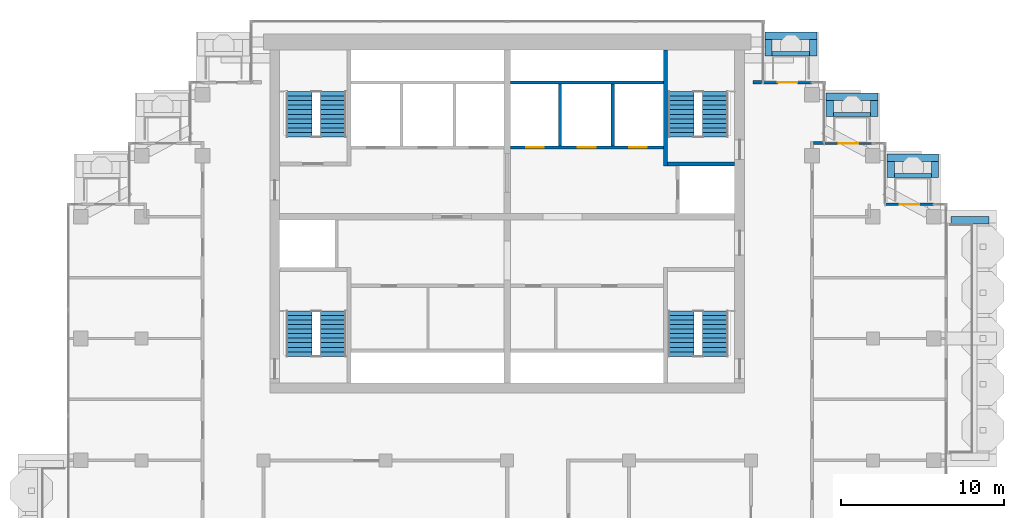
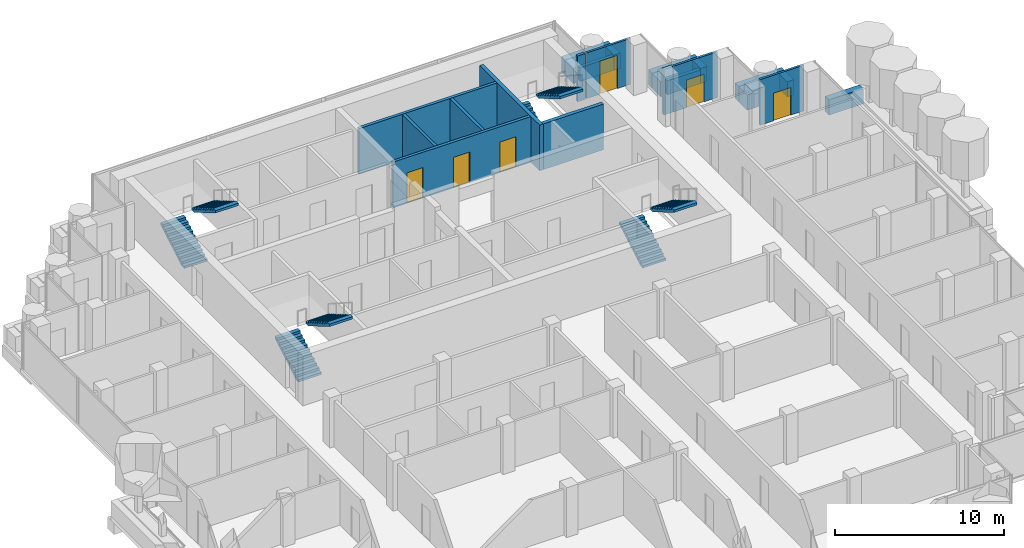
# One storey, part 15 of 19: 24 walls, 8 stair flights, 6 doors, 6 openings, 4 elements without a shape of their own.
"""IFC4 building model written with IfcOpenShell, lengths in metres."""

from ifc_helpers import new_model, si_unit, direction, frame, frame_2d, origin, place, context, subcontext, project, spatial, polyline, rectangle, outline, extrude, material, layer, layer_set, type_object, element, fill, aggregate, save


model = new_model("IFC4")

# Units and contexts
model_context = context("Model", 3, precision=1e-05, world=origin(), true_north=direction((0.0, 1.0)))
body_context = subcontext(model_context, "Body", "Model", "MODEL_VIEW")
ifc_project = project(units=[si_unit("LENGTHUNIT", "METRE"), si_unit("AREAUNIT", "SQUARE_METRE"), si_unit("VOLUMEUNIT", "CUBIC_METRE"), si_unit("PLANEANGLEUNIT", "RADIAN"), si_unit("MASSUNIT", "GRAM", prefix="KILO")], contexts=[model_context])

# Site, building, storey
site_placement = place(None, origin())
site = spatial("IfcSite", under=ifc_project, at=site_placement, CompositionType="ELEMENT")
building_placement = place(site_placement, origin())
building = spatial("IfcBuilding", under=site, at=building_placement, Name="Pilkhan Gate Tower", CompositionType="ELEMENT")
storey_placement = place(building_placement, frame((0.0, 0.0, 246.300048828125)))
storey = spatial("IfcBuildingStorey", under=building, at=storey_placement, Name="L64", CompositionType="ELEMENT", Elevation=246.300048828125)

# Walls
ifc_material_1 = material(Name="Concrete C40/50", Category="concrete")
ifc_layer_1 = layer(ifc_material_1, 0.25)
ifc_layer_set_1 = layer_set([ifc_layer_1], Name="Balcony planter BP250")
wall_type_1 = type_object("IfcWallType", Name="Balcony planter BP250", PredefinedType="USERDEFINED", material=ifc_layer_set_1)
wall_1_placement = place(storey_placement, frame((91.300048828125, 92.52490234375, 0.0), z_axis=(0.0, 0.0, 1.0), x_axis=(1.0, 0.0, 0.0)))
element("IfcWall", 1, at=wall_1_placement, inside=storey, type_object=wall_type_1, Name="Balcony planter L64 N", ObjectType="BALCONY PLANTER", PredefinedType="USERDEFINED", context=body_context, shape_type="SweptSolid", body=[
    extrude(rectangle(XDim=2.300048828125, YDim=0.25, at=frame_2d((1.14990234375, 0.0))), origin(), (0.0, 0.0, 1.0), 1.0),
])
for number, where, z_axis, x_axis, name in (
    (2, (95.070068359375, 88.77490234375, 0.0), (0.0, 0.0, 1.0), (1.0, 0.0, 0.0), "Balcony planter L64 N"),
    (3, (98.820068359375, 85.02490234375, 0.0), (0.0, 0.0, 1.0), (1.0, 0.0, 0.0), "Balcony planter L64 N"),
):
    element("IfcWall", number, at=place(storey_placement, frame(where, z_axis=z_axis, x_axis=x_axis)), inside=storey, type_object=wall_type_1, Name=name, ObjectType="BALCONY PLANTER", PredefinedType="USERDEFINED", context=body_context, shape_type="SweptSolid", body=[
        extrude(rectangle(XDim=2.280029296875, YDim=0.25, at=frame_2d((1.14013671875, 0.0))), origin(), (0.0, 0.0, 1.0), 1.0),
    ])
ifc_material_2 = material(Name="Board-marked Concrete C40/50", Category="concrete")
ifc_layer_2 = layer(ifc_material_2, 0.449951171875)
ifc_layer_set_2 = layer_set([ifc_layer_2], Name="Balcony planter lip BL450")
wall_type_2 = type_object("IfcWallType", Name="Balcony planter lip BL450", PredefinedType="USERDEFINED", material=ifc_layer_set_2)
wall_2_placement = place(storey_placement, frame((102.300048828125, 82.27490234375, 0.0), z_axis=(0.0, 0.0, 1.0), x_axis=(1.0, 0.0, 0.0)))
element("IfcWall", 4, at=wall_2_placement, inside=storey, type_object=wall_type_2, Name="Balcony planter L64 E", ObjectType="BALCONY PLANTER", PredefinedType="USERDEFINED", context=body_context, shape_type="SweptSolid", body=[
    extrude(rectangle(XDim=2.349853515625, YDim=0.449951171875, at=frame_2d((1.1748046875, 0.0))), origin(), (0.0, 0.0, 1.0), 1.099853515625),
])
wall_3_placement = place(storey_placement, frame((90.85009765625, 93.625, 0.0), z_axis=(0.0, 0.0, 1.0), x_axis=(1.0, 0.0, 0.0)))
element("IfcWall", 5, at=wall_3_placement, inside=storey, type_object=wall_type_2, Name="Balcony planter L64 N", ObjectType="BALCONY PLANTER", PredefinedType="USERDEFINED", context=body_context, shape_type="SweptSolid", body=[
    extrude(rectangle(XDim=3.199951171875, YDim=0.449951171875, at=frame_2d((1.60009765625, 0.0))), origin(), (0.0, 0.0, 1.0), 1.099853515625),
])
for number, where, z_axis, x_axis, name in (
    (6, (91.074951171875, 92.39990234375, 0.0), (0.0, 0.0, 1.0), (0.0, 1.0, 0.0), "Balcony planter L64 N"),
    (7, (93.824951171875, 92.39990234375, 0.0), (0.0, 0.0, 1.0), (0.0, 1.0, 0.0), "Balcony planter L64 N"),
):
    element("IfcWall", number, at=place(storey_placement, frame(where, z_axis=z_axis, x_axis=x_axis)), inside=storey, type_object=wall_type_2, Name=name, ObjectType="BALCONY PLANTER", PredefinedType="USERDEFINED", context=body_context, shape_type="SweptSolid", body=[
        extrude(rectangle(XDim=1.0, YDim=0.449951171875, at=frame_2d((0.5, 0.0))), origin(), (0.0, 0.0, 1.0), 1.099853515625),
    ])
wall_4_placement = place(storey_placement, frame((94.6201171875, 89.875, 0.0), z_axis=(0.0, 0.0, 1.0), x_axis=(1.0, 0.0, 0.0)))
element("IfcWall", 8, at=wall_4_placement, inside=storey, type_object=wall_type_2, Name="Balcony planter L64 N", ObjectType="BALCONY PLANTER", PredefinedType="USERDEFINED", context=body_context, shape_type="SweptSolid", body=[
    extrude(rectangle(XDim=3.179931640625, YDim=0.449951171875, at=frame_2d((1.58984375, 0.0))), origin(), (0.0, 0.0, 1.0), 1.099853515625),
])
for number, where, z_axis, x_axis, name in (
    (9, (94.844970703125, 88.64990234375, 0.0), (0.0, 0.0, 1.0), (0.0, 1.0, 0.0), "Balcony planter L64 N"),
    (10, (97.574951171875, 88.64990234375, 0.0), (0.0, 0.0, 1.0), (0.0, 1.0, 0.0), "Balcony planter L64 N"),
):
    element("IfcWall", number, at=place(storey_placement, frame(where, z_axis=z_axis, x_axis=x_axis)), inside=storey, type_object=wall_type_2, Name=name, ObjectType="BALCONY PLANTER", PredefinedType="USERDEFINED", context=body_context, shape_type="SweptSolid", body=[
        extrude(rectangle(XDim=1.0, YDim=0.449951171875, at=frame_2d((0.5, 0.0))), origin(), (0.0, 0.0, 1.0), 1.099853515625),
    ])
wall_5_placement = place(storey_placement, frame((98.3701171875, 86.125, 0.0), z_axis=(0.0, 0.0, 1.0), x_axis=(1.0, 0.0, 0.0)))
element("IfcWall", 11, at=wall_5_placement, inside=storey, type_object=wall_type_2, Name="Balcony planter L64 N", ObjectType="BALCONY PLANTER", PredefinedType="USERDEFINED", context=body_context, shape_type="SweptSolid", body=[
    extrude(rectangle(XDim=3.179931640625, YDim=0.449951171875, at=frame_2d((1.58984375, 0.0))), origin(), (0.0, 0.0, 1.0), 1.099853515625),
])
for number, where, z_axis, x_axis, name in (
    (12, (98.594970703125, 84.89990234375, 0.0), (0.0, 0.0, 1.0), (0.0, 1.0, 0.0), "Balcony planter L64 N"),
    (13, (101.324951171875, 84.89990234375, 0.0), (0.0, 0.0, 1.0), (0.0, 1.0, 0.0), "Balcony planter L64 N"),
):
    element("IfcWall", number, at=place(storey_placement, frame(where, z_axis=z_axis, x_axis=x_axis)), inside=storey, type_object=wall_type_2, Name=name, ObjectType="BALCONY PLANTER", PredefinedType="USERDEFINED", context=body_context, shape_type="SweptSolid", body=[
        extrude(rectangle(XDim=1.0, YDim=0.449951171875, at=frame_2d((0.5, 0.0))), origin(), (0.0, 0.0, 1.0), 1.099853515625),
    ])
ifc_material_3 = material(Name="Dense blockwork", Category="masonry")
ifc_layer_3 = layer(ifc_material_3, 0.199951171875)
ifc_layer_set_3 = layer_set([ifc_layer_3], Name="Corridor wall FW200")
wall_type_3 = type_object("IfcWallType", Name="Corridor wall FW200", PredefinedType="PARTITIONING", material=ifc_layer_set_3)
wall_6_placement = place(storey_placement, frame((93.85009765625, 87.030029296875, 0.0), z_axis=(0.0, 0.0, 1.0), x_axis=(1.0, 0.0, 0.0)))
element("IfcWall", 14, at=wall_6_placement, inside=storey, type_object=wall_type_3, Name="Partition L64", PredefinedType="PARTITIONING", context=body_context, shape_type="SweptSolid", body=[
    extrude(rectangle(XDim=0.639892578125, YDim=0.199951171875, at=frame_2d((0.31982421875, 0.0))), origin(), (0.0, 0.0, 1.0), 3.300048828125),
])
wall_7_placement = place(storey_placement, frame((90.1201171875, 90.764892578125, 0.0), z_axis=(0.0, 0.0, 1.0), x_axis=(1.0, 0.0, 0.0)))
element("IfcWall", 15, at=wall_7_placement, inside=storey, type_object=wall_type_3, Name="Partition L64", PredefinedType="PARTITIONING", context=body_context, shape_type="SweptSolid", body=[
    extrude(rectangle(XDim=0.52490234375, YDim=0.199951171875, at=frame_2d((0.262451171875, 0.0))), origin(), (0.0, 0.0, 1.0), 3.300048828125),
])

# Wall, opening, door
ifc_material_4 = material(Name="Pale anodised aluminium, clear laminated glazing", Category="aluminium")
ifc_layer_4 = layer(ifc_material_4, 0.14990234375)
ifc_layer_set_4 = layer_set([ifc_layer_4], Name="Facade infill wall IW150")
wall_type_4 = type_object("IfcWallType", Name="Facade infill wall IW150", PredefinedType="SOLIDWALL", material=ifc_layer_set_4)
wall_8_placement = place(storey_placement, frame((98.25, 83.25, 0.0), z_axis=(0.0, 0.0, 1.0), x_axis=(1.0, 0.0, 0.0)))
wall_8 = element("IfcWall", 16, at=wall_8_placement, inside=storey, type_object=wall_type_4, Name="Infill wall L64 N", PredefinedType="SOLIDWALL", context=body_context, shape_type="SweptSolid", body=[
    extrude(rectangle(XDim=3.0, YDim=0.14990234375, at=frame_2d((1.5, 0.0))), origin(), (0.0, 0.0, 1.0), 3.300048828125),
])
opening_1_placement = place(wall_8_placement, frame((0.89990234375, 0.0, 0.0)))
opening_1 = element("IfcOpeningElement", 17, at=opening_1_placement, cuts=wall_8, Name="Opening D1L", PredefinedType="OPENING", context=body_context, shape_type="SweptSolid", body=[
    extrude(rectangle(XDim=1.199951171875, YDim=2.0, at=frame_2d((0.60009765625, 1.0))), frame((0.0, 0.0849609375, 0.0), z_axis=(0.0, -1.0, 0.0), x_axis=(1.0, 0.0, 0.0)), (0.0, 0.0, 1.0), 0.169921875),
])
ifc_material_5 = material(Name="Pale anodised aluminium, clear glazing", Category="aluminium")
door_type_1 = type_object("IfcDoorType", Name="Balcony door D1L 1200x2000", OperationType="SINGLE_SWING_LEFT", PredefinedType="DOOR", material=ifc_material_5)
door_1_placement = place(opening_1_placement, origin())
door_1 = element("IfcDoor", 18, at=door_1_placement, inside=storey, type_object=door_type_1, Name="Balcony door L64", OperationType="SINGLE_SWING_LEFT", OverallHeight=2.0, OverallWidth=1.199951171875, PredefinedType="DOOR", context=body_context, shape_type="SweptSolid", body=[
    extrude(rectangle(XDim=1.199951171875, YDim=2.0, at=frame_2d((0.60009765625, 1.0))), frame((0.0, 0.02490234375, 0.0), z_axis=(0.0, -1.0, 0.0), x_axis=(1.0, 0.0, 0.0)), (0.0, 0.0, 1.0), 0.050048828125),
])
fill(opening_1, door_1)

wall_9_placement = place(storey_placement, frame((94.5, 87.0, 0.0), z_axis=(0.0, 0.0, 1.0), x_axis=(1.0, 0.0, 0.0)))
wall_9 = element("IfcWall", 19, at=wall_9_placement, inside=storey, type_object=wall_type_4, Name="Infill wall L64 N", PredefinedType="SOLIDWALL", context=body_context, shape_type="SweptSolid", body=[
    extrude(rectangle(XDim=3.0, YDim=0.14990234375, at=frame_2d((1.5, 0.0))), origin(), (0.0, 0.0, 1.0), 3.300048828125),
])
opening_2_placement = place(wall_9_placement, frame((0.89990234375, 0.0, 0.0)))
opening_2 = element("IfcOpeningElement", 20, at=opening_2_placement, cuts=wall_9, Name="Opening D1L", PredefinedType="OPENING", context=body_context, shape_type="SweptSolid", body=[
    extrude(rectangle(XDim=1.199951171875, YDim=2.0, at=frame_2d((0.60009765625, 1.0))), frame((0.0, 0.0849609375, 0.0), z_axis=(0.0, -1.0, 0.0), x_axis=(1.0, 0.0, 0.0)), (0.0, 0.0, 1.0), 0.169921875),
])
door_2_placement = place(opening_2_placement, origin())
door_2 = element("IfcDoor", 21, at=door_2_placement, inside=storey, type_object=door_type_1, Name="Balcony door L64", OperationType="SINGLE_SWING_LEFT", OverallHeight=2.0, OverallWidth=1.199951171875, PredefinedType="DOOR", context=body_context, shape_type="SweptSolid", body=[
    extrude(rectangle(XDim=1.199951171875, YDim=2.0, at=frame_2d((0.60009765625, 1.0))), frame((0.0, 0.02490234375, 0.0), z_axis=(0.0, -1.0, 0.0), x_axis=(1.0, 0.0, 0.0)), (0.0, 0.0, 1.0), 0.050048828125),
])
fill(opening_2, door_2)

wall_10_placement = place(storey_placement, frame((90.75, 90.75, 0.0), z_axis=(0.0, 0.0, 1.0), x_axis=(1.0, 0.0, 0.0)))
wall_10 = element("IfcWall", 22, at=wall_10_placement, inside=storey, type_object=wall_type_4, Name="Infill wall L64 N", PredefinedType="SOLIDWALL", context=body_context, shape_type="SweptSolid", body=[
    extrude(rectangle(XDim=3.0, YDim=0.14990234375, at=frame_2d((1.5, 0.0))), origin(), (0.0, 0.0, 1.0), 3.300048828125),
])
opening_3_placement = place(wall_10_placement, frame((0.89990234375, 0.0, 0.0)))
opening_3 = element("IfcOpeningElement", 23, at=opening_3_placement, cuts=wall_10, Name="Opening D1", PredefinedType="OPENING", context=body_context, shape_type="SweptSolid", body=[
    extrude(rectangle(XDim=1.199951171875, YDim=2.39990234375, at=frame_2d((0.60009765625, 1.199951171875))), frame((0.0, 0.0849609375, 0.0), z_axis=(0.0, -1.0, 0.0), x_axis=(1.0, 0.0, 0.0)), (0.0, 0.0, 1.0), 0.169921875),
])
door_type_2 = type_object("IfcDoorType", Name="Balcony door D1 1200x2400", OperationType="SINGLE_SWING_LEFT", PredefinedType="DOOR", material=ifc_material_5)
door_3_placement = place(opening_3_placement, origin())
door_3 = element("IfcDoor", 24, at=door_3_placement, inside=storey, type_object=door_type_2, Name="Balcony door L64", OperationType="SINGLE_SWING_LEFT", OverallHeight=2.39990234375, OverallWidth=1.199951171875, PredefinedType="DOOR", context=body_context, shape_type="SweptSolid", body=[
    extrude(rectangle(XDim=1.199951171875, YDim=2.39990234375, at=frame_2d((0.60009765625, 1.199951171875))), frame((0.0, 0.02490234375, 0.0), z_axis=(0.0, -1.0, 0.0), x_axis=(1.0, 0.0, 0.0)), (0.0, 0.0, 1.0), 0.050048828125),
])
fill(opening_3, door_3)

# Wall, openings, doors
ifc_material_6 = material(Name="Reinforced blockwork shaft wall, 120 minute fire resisting", Category="masonry")
ifc_layer_5 = layer(ifc_material_6, 0.199951171875)
ifc_layer_set_5 = layer_set([ifc_layer_5], Name="Shaft wall SW200")
wall_type_5 = type_object("IfcWallType", Name="Shaft wall SW200", PredefinedType="PARTITIONING", material=ifc_layer_set_5)
wall_11_placement = place(storey_placement, frame((75.2099609375, 86.75, 0.0), z_axis=(0.0, 0.0, 1.0), x_axis=(1.0, 0.0, 0.0)))
wall_11 = element("IfcWall", 25, at=wall_11_placement, inside=storey, type_object=wall_type_5, Name="Partition L64", PredefinedType="PARTITIONING", context=body_context, shape_type="SweptSolid", body=[
    extrude(rectangle(XDim=9.4150390625, YDim=0.199951171875, at=frame_2d((4.70751953125, 0.0))), origin(), (0.0, 0.0, 1.0), 3.300048828125),
])
opening_4_placement = place(wall_11_placement, frame((0.949951171875, 0.0, 0.0)))
opening_4 = element("IfcOpeningElement", 26, at=opening_4_placement, cuts=wall_11, Name="Opening LD", PredefinedType="OPENING", context=body_context, shape_type="SweptSolid", body=[
    extrude(rectangle(XDim=1.10009765625, YDim=2.199951171875, at=frame_2d((0.550048828125, 1.10009765625))), frame((0.0, 0.10986328125, 0.0), z_axis=(0.0, -1.0, 0.0), x_axis=(1.0, 0.0, 0.0)), (0.0, 0.0, 1.0), 0.219970703125),
])
opening_5_placement = place(wall_11_placement, frame((4.139892578125, 0.0, 0.0)))
opening_5 = element("IfcOpeningElement", 27, at=opening_5_placement, cuts=wall_11, Name="Opening LD", PredefinedType="OPENING", context=body_context, shape_type="SweptSolid", body=[
    extrude(rectangle(XDim=1.10009765625, YDim=2.199951171875, at=frame_2d((0.550048828125, 1.10009765625))), frame((0.0, 0.10986328125, 0.0), z_axis=(0.0, -1.0, 0.0), x_axis=(1.0, 0.0, 0.0)), (0.0, 0.0, 1.0), 0.219970703125),
])
opening_6_placement = place(wall_11_placement, frame((7.2900390625, 0.0, 0.0)))
opening_6 = element("IfcOpeningElement", 28, at=opening_6_placement, cuts=wall_11, Name="Opening LD", PredefinedType="OPENING", context=body_context, shape_type="SweptSolid", body=[
    extrude(rectangle(XDim=1.10009765625, YDim=2.199951171875, at=frame_2d((0.550048828125, 1.10009765625))), frame((0.0, 0.10986328125, 0.0), z_axis=(0.0, -1.0, 0.0), x_axis=(1.0, 0.0, 0.0)), (0.0, 0.0, 1.0), 0.219970703125),
])
ifc_material_7 = material(Name="Stainless steel centre-opening landing door, 120 minute fire resisting", Category="steel")
door_type_3 = type_object("IfcDoorType", Name="Lift landing door LD 1100x2200", OperationType="DOUBLE_DOOR_SLIDING", PredefinedType="DOOR", material=ifc_material_7)
door_4_placement = place(opening_4_placement, origin())
door_4 = element("IfcDoor", 29, at=door_4_placement, inside=storey, type_object=door_type_3, Name="Landing door HR1", OperationType="DOUBLE_DOOR_SLIDING", OverallHeight=2.199951171875, OverallWidth=1.10009765625, PredefinedType="DOOR", context=body_context, shape_type="SweptSolid", body=[
    extrude(rectangle(XDim=1.10009765625, YDim=2.199951171875, at=frame_2d((0.550048828125, 1.10009765625))), frame((0.0, 0.02490234375, 0.0), z_axis=(0.0, -1.0, 0.0), x_axis=(1.0, 0.0, 0.0)), (0.0, 0.0, 1.0), 0.050048828125),
])
fill(opening_4, door_4)
door_5_placement = place(opening_5_placement, origin())
door_5 = element("IfcDoor", 30, at=door_5_placement, inside=storey, type_object=door_type_3, Name="Landing door HR2", OperationType="DOUBLE_DOOR_SLIDING", OverallHeight=2.199951171875, OverallWidth=1.10009765625, PredefinedType="DOOR", context=body_context, shape_type="SweptSolid", body=[
    extrude(rectangle(XDim=1.10009765625, YDim=2.199951171875, at=frame_2d((0.550048828125, 1.10009765625))), frame((0.0, 0.02490234375, 0.0), z_axis=(0.0, -1.0, 0.0), x_axis=(1.0, 0.0, 0.0)), (0.0, 0.0, 1.0), 0.050048828125),
])
fill(opening_5, door_5)
door_6_placement = place(opening_6_placement, origin())
door_6 = element("IfcDoor", 31, at=door_6_placement, inside=storey, type_object=door_type_3, Name="Landing door HR3", OperationType="DOUBLE_DOOR_SLIDING", OverallHeight=2.199951171875, OverallWidth=1.10009765625, PredefinedType="DOOR", context=body_context, shape_type="SweptSolid", body=[
    extrude(rectangle(XDim=1.10009765625, YDim=2.199951171875, at=frame_2d((0.550048828125, 1.10009765625))), frame((0.0, 0.02490234375, 0.0), z_axis=(0.0, -1.0, 0.0), x_axis=(1.0, 0.0, 0.0)), (0.0, 0.0, 1.0), 0.050048828125),
])
fill(opening_6, door_6)

# Walls
wall_12_placement = place(storey_placement, frame((75.2099609375, 90.75, 0.0), z_axis=(0.0, 0.0, 1.0), x_axis=(1.0, 0.0, 0.0)))
element("IfcWall", 32, at=wall_12_placement, inside=storey, type_object=wall_type_5, Name="Partition L64", PredefinedType="PARTITIONING", context=body_context, shape_type="SweptSolid", body=[
    extrude(rectangle(XDim=9.4150390625, YDim=0.199951171875, at=frame_2d((4.70751953125, 0.0))), origin(), (0.0, 0.0, 1.0), 3.300048828125),
])
for number, where, z_axis, x_axis, name in (
    (33, (78.25, 86.85009765625, 0.0), (0.0, 0.0, 1.0), (0.0, 1.0, 0.0), "Partition L64"),
    (34, (81.5, 86.85009765625, 0.0), (0.0, 0.0, 1.0), (0.0, 1.0, 0.0), "Partition L64"),
):
    element("IfcWall", number, at=place(storey_placement, frame(where, z_axis=z_axis, x_axis=x_axis)), inside=storey, type_object=wall_type_5, Name=name, PredefinedType="PARTITIONING", context=body_context, shape_type="SweptSolid", body=[
        extrude(rectangle(XDim=3.7998046875, YDim=0.199951171875, at=frame_2d((1.89990234375, 0.0))), origin(), (0.0, 0.0, 1.0), 3.300048828125),
    ])
ifc_material_8 = material(Name="Reinforced blockwork, 120 minute fire resisting", Category="masonry")
ifc_layer_6 = layer(ifc_material_8, 0.25)
ifc_layer_set_6 = layer_set([ifc_layer_6], Name="Stair enclosure wall SE250")
wall_type_6 = type_object("IfcWallType", Name="Stair enclosure wall SE250", PredefinedType="PARTITIONING", material=ifc_layer_set_6)
wall_13_placement = place(storey_placement, frame((84.875, 85.75, 0.0), z_axis=(0.0, 0.0, 1.0), x_axis=(1.0, 0.0, 0.0)))
element("IfcWall", 35, at=wall_13_placement, inside=storey, type_object=wall_type_6, Name="Partition L64", PredefinedType="PARTITIONING", context=body_context, shape_type="SweptSolid", body=[
    extrude(rectangle(XDim=4.114990234375, YDim=0.25, at=frame_2d((2.0576171875, 0.0))), origin(), (0.0, 0.0, 1.0), 3.300048828125),
])
wall_14_placement = place(storey_placement, frame((84.75, 85.625, 0.0), z_axis=(0.0, 0.0, 1.0), x_axis=(0.0, 1.0, 0.0)))
element("IfcWall", 36, at=wall_14_placement, inside=storey, type_object=wall_type_6, Name="Partition L64", PredefinedType="PARTITIONING", context=body_context, shape_type="SweptSolid", body=[
    extrude(rectangle(XDim=7.114990234375, YDim=0.25, at=frame_2d((3.5576171875, 0.0))), origin(), (0.0, 0.0, 1.0), 3.300048828125),
])

# Stair, stair flights
ifc_material_9 = material(Name="Concrete C40/50 precast", Category="concrete")
stair_type_1 = type_object("IfcStairType", Name="Stair ST1 164x280", PredefinedType="HALF_TURN_STAIR", material=ifc_material_9)
stair_1_placement = place(storey_placement, origin())
stair_1 = element("IfcStair", 37, at=stair_1_placement, inside=storey, type_object=stair_type_1, Name="Stair ST1 L64", PredefinedType="HALF_TURN_STAIR")
stair_flight_type_1 = type_object("IfcStairFlightType", Name="Stair flight ST1 164x280x11", PredefinedType="STRAIGHT", material=ifc_material_9)
stair_flight_1_placement = place(storey_placement, frame((85.68994140625, 73.89990234375, 0.0), z_axis=(0.0, 0.0, 1.0), x_axis=(0.0, 1.0, 0.0)))
stair_flight_1 = element("IfcStairFlight", 38, at=stair_flight_1_placement, type_object=stair_flight_type_1, Name="ST1 flight 1", NumberOfRisers=11, NumberOfTreads=10, PredefinedType="STRAIGHT", RiserHeight=0.163636364, TreadLength=0.28, context=body_context, shape_type="SweptSolid", body=[
    extrude(outline(polyline([(0.0, 0.0), (0.0, 0.16357421875), (0.280029296875, 0.16357421875), (0.280029296875, 0.327392578125), (0.56005859375, 0.327392578125), (0.56005859375, 0.490966796875), (0.840087890625, 0.490966796875), (0.840087890625, 0.654541015625), (1.1201171875, 0.654541015625), (1.1201171875, 0.818115234375), (1.39990234375, 0.818115234375), (1.39990234375, 0.98193359375), (1.679931640625, 0.98193359375), (1.679931640625, 1.1455078125), (1.9599609375, 1.1455078125), (1.9599609375, 1.30908203125), (2.239990234375, 1.30908203125), (2.239990234375, 1.47265625), (2.52001953125, 1.47265625), (2.52001953125, 1.636474609375), (2.800048828125, 1.636474609375), (2.800048828125, 1.800048828125), (2.800048828125, 1.462646484375), (0.297119140625, 0.0), (0.0, 0.0)])), frame((0.0, 0.7900390625, 0.0), z_axis=(0.0, -1.0, 0.0), x_axis=(1.0, 0.0, 0.0)), (0.0, 0.0, 1.0), 1.580078125),
])
stair_flight_2_placement = place(storey_placement, frame((87.81005859375, 76.699951171875, 1.800048828125), z_axis=(0.0, 0.0, 1.0), x_axis=(0.0, -1.0, 0.0)))
stair_flight_2 = element("IfcStairFlight", 39, at=stair_flight_2_placement, type_object=stair_flight_type_1, Name="ST1 flight 2", NumberOfRisers=11, NumberOfTreads=10, PredefinedType="STRAIGHT", RiserHeight=0.163636364, TreadLength=0.28, context=body_context, shape_type="SweptSolid", body=[
    extrude(outline(polyline([(0.0, 0.0), (0.0, 0.16357421875), (0.280029296875, 0.16357421875), (0.280029296875, 0.327392578125), (0.56005859375, 0.327392578125), (0.56005859375, 0.490966796875), (0.840087890625, 0.490966796875), (0.840087890625, 0.654541015625), (1.1201171875, 0.654541015625), (1.1201171875, 0.818115234375), (1.39990234375, 0.818115234375), (1.39990234375, 0.98193359375), (1.679931640625, 0.98193359375), (1.679931640625, 1.1455078125), (1.9599609375, 1.1455078125), (1.9599609375, 1.30908203125), (2.239990234375, 1.30908203125), (2.239990234375, 1.47265625), (2.52001953125, 1.47265625), (2.52001953125, 1.636474609375), (2.800048828125, 1.636474609375), (2.800048828125, 1.800048828125), (2.800048828125, 1.462646484375), (0.297119140625, 0.0), (0.0, 0.0)])), frame((0.0, 0.7900390625, 0.0), z_axis=(0.0, -1.0, 0.0), x_axis=(1.0, 0.0, 0.0)), (0.0, 0.0, 1.0), 1.580078125),
])
aggregate(stair_1, [stair_flight_1, stair_flight_2])

stair_type_2 = type_object("IfcStairType", Name="Stair ST2 164x280", PredefinedType="HALF_TURN_STAIR", material=ifc_material_9)
stair_2_placement = place(storey_placement, origin())
stair_2 = element("IfcStair", 40, at=stair_2_placement, inside=storey, type_object=stair_type_2, Name="Stair ST2 L64", PredefinedType="HALF_TURN_STAIR")
stair_flight_type_2 = type_object("IfcStairFlightType", Name="Stair flight ST2 164x280x11", PredefinedType="STRAIGHT", material=ifc_material_9)
stair_flight_3_placement = place(storey_placement, frame((62.18994140625, 73.89990234375, 0.0), z_axis=(0.0, 0.0, 1.0), x_axis=(0.0, 1.0, 0.0)))
stair_flight_3 = element("IfcStairFlight", 41, at=stair_flight_3_placement, type_object=stair_flight_type_2, Name="ST2 flight 1", NumberOfRisers=11, NumberOfTreads=10, PredefinedType="STRAIGHT", RiserHeight=0.163636364, TreadLength=0.28, context=body_context, shape_type="SweptSolid", body=[
    extrude(outline(polyline([(0.0, 0.0), (0.0, 0.16357421875), (0.280029296875, 0.16357421875), (0.280029296875, 0.327392578125), (0.56005859375, 0.327392578125), (0.56005859375, 0.490966796875), (0.840087890625, 0.490966796875), (0.840087890625, 0.654541015625), (1.1201171875, 0.654541015625), (1.1201171875, 0.818115234375), (1.39990234375, 0.818115234375), (1.39990234375, 0.98193359375), (1.679931640625, 0.98193359375), (1.679931640625, 1.1455078125), (1.9599609375, 1.1455078125), (1.9599609375, 1.30908203125), (2.239990234375, 1.30908203125), (2.239990234375, 1.47265625), (2.52001953125, 1.47265625), (2.52001953125, 1.636474609375), (2.800048828125, 1.636474609375), (2.800048828125, 1.800048828125), (2.800048828125, 1.462646484375), (0.297119140625, 0.0), (0.0, 0.0)])), frame((0.0, 0.7900390625, 0.0), z_axis=(0.0, -1.0, 0.0), x_axis=(1.0, 0.0, 0.0)), (0.0, 0.0, 1.0), 1.580078125),
])
stair_flight_4_placement = place(storey_placement, frame((64.31005859375, 76.699951171875, 1.800048828125), z_axis=(0.0, 0.0, 1.0), x_axis=(0.0, -1.0, 0.0)))
stair_flight_4 = element("IfcStairFlight", 42, at=stair_flight_4_placement, type_object=stair_flight_type_2, Name="ST2 flight 2", NumberOfRisers=11, NumberOfTreads=10, PredefinedType="STRAIGHT", RiserHeight=0.163636364, TreadLength=0.28, context=body_context, shape_type="SweptSolid", body=[
    extrude(outline(polyline([(0.0, 0.0), (0.0, 0.16357421875), (0.280029296875, 0.16357421875), (0.280029296875, 0.327392578125), (0.56005859375, 0.327392578125), (0.56005859375, 0.490966796875), (0.840087890625, 0.490966796875), (0.840087890625, 0.654541015625), (1.1201171875, 0.654541015625), (1.1201171875, 0.818115234375), (1.39990234375, 0.818115234375), (1.39990234375, 0.98193359375), (1.679931640625, 0.98193359375), (1.679931640625, 1.1455078125), (1.9599609375, 1.1455078125), (1.9599609375, 1.30908203125), (2.239990234375, 1.30908203125), (2.239990234375, 1.47265625), (2.52001953125, 1.47265625), (2.52001953125, 1.636474609375), (2.800048828125, 1.636474609375), (2.800048828125, 1.800048828125), (2.800048828125, 1.462646484375), (0.297119140625, 0.0), (0.0, 0.0)])), frame((0.0, 0.7900390625, 0.0), z_axis=(0.0, -1.0, 0.0), x_axis=(1.0, 0.0, 0.0)), (0.0, 0.0, 1.0), 1.580078125),
])
aggregate(stair_2, [stair_flight_3, stair_flight_4])

stair_type_3 = type_object("IfcStairType", Name="Stair ST3 164x280", PredefinedType="HALF_TURN_STAIR", material=ifc_material_9)
stair_3_placement = place(storey_placement, origin())
stair_3 = element("IfcStair", 43, at=stair_3_placement, inside=storey, type_object=stair_type_3, Name="Stair ST3 L64", PredefinedType="HALF_TURN_STAIR")
stair_flight_type_3 = type_object("IfcStairFlightType", Name="Stair flight ST3 164x280x11", PredefinedType="STRAIGHT", material=ifc_material_9)
stair_flight_5_placement = place(storey_placement, frame((62.18994140625, 87.39990234375, 0.0), z_axis=(0.0, 0.0, 1.0), x_axis=(0.0, 1.0, 0.0)))
stair_flight_5 = element("IfcStairFlight", 44, at=stair_flight_5_placement, type_object=stair_flight_type_3, Name="ST3 flight 1", NumberOfRisers=11, NumberOfTreads=10, PredefinedType="STRAIGHT", RiserHeight=0.163636364, TreadLength=0.28, context=body_context, shape_type="SweptSolid", body=[
    extrude(outline(polyline([(0.0, 0.0), (0.0, 0.16357421875), (0.280029296875, 0.16357421875), (0.280029296875, 0.327392578125), (0.56005859375, 0.327392578125), (0.56005859375, 0.490966796875), (0.840087890625, 0.490966796875), (0.840087890625, 0.654541015625), (1.1201171875, 0.654541015625), (1.1201171875, 0.818115234375), (1.39990234375, 0.818115234375), (1.39990234375, 0.98193359375), (1.679931640625, 0.98193359375), (1.679931640625, 1.1455078125), (1.9599609375, 1.1455078125), (1.9599609375, 1.30908203125), (2.239990234375, 1.30908203125), (2.239990234375, 1.47265625), (2.52001953125, 1.47265625), (2.52001953125, 1.636474609375), (2.800048828125, 1.636474609375), (2.800048828125, 1.800048828125), (2.800048828125, 1.462646484375), (0.297119140625, 0.0), (0.0, 0.0)])), frame((0.0, 0.7900390625, 0.0), z_axis=(0.0, -1.0, 0.0), x_axis=(1.0, 0.0, 0.0)), (0.0, 0.0, 1.0), 1.580078125),
])
stair_flight_6_placement = place(storey_placement, frame((64.31005859375, 90.199951171875, 1.800048828125), z_axis=(0.0, 0.0, 1.0), x_axis=(0.0, -1.0, 0.0)))
stair_flight_6 = element("IfcStairFlight", 45, at=stair_flight_6_placement, type_object=stair_flight_type_3, Name="ST3 flight 2", NumberOfRisers=11, NumberOfTreads=10, PredefinedType="STRAIGHT", RiserHeight=0.163636364, TreadLength=0.28, context=body_context, shape_type="SweptSolid", body=[
    extrude(outline(polyline([(0.0, 0.0), (0.0, 0.16357421875), (0.280029296875, 0.16357421875), (0.280029296875, 0.327392578125), (0.56005859375, 0.327392578125), (0.56005859375, 0.490966796875), (0.840087890625, 0.490966796875), (0.840087890625, 0.654541015625), (1.1201171875, 0.654541015625), (1.1201171875, 0.818115234375), (1.39990234375, 0.818115234375), (1.39990234375, 0.98193359375), (1.679931640625, 0.98193359375), (1.679931640625, 1.1455078125), (1.9599609375, 1.1455078125), (1.9599609375, 1.30908203125), (2.239990234375, 1.30908203125), (2.239990234375, 1.47265625), (2.52001953125, 1.47265625), (2.52001953125, 1.636474609375), (2.800048828125, 1.636474609375), (2.800048828125, 1.800048828125), (2.800048828125, 1.462646484375), (0.297119140625, 0.0), (0.0, 0.0)])), frame((0.0, 0.7900390625, 0.0), z_axis=(0.0, -1.0, 0.0), x_axis=(1.0, 0.0, 0.0)), (0.0, 0.0, 1.0), 1.580078125),
])
aggregate(stair_3, [stair_flight_5, stair_flight_6])

stair_type_4 = type_object("IfcStairType", Name="Stair ST4 164x280", PredefinedType="HALF_TURN_STAIR", material=ifc_material_9)
stair_4_placement = place(storey_placement, origin())
stair_4 = element("IfcStair", 46, at=stair_4_placement, inside=storey, type_object=stair_type_4, Name="Stair ST4 L64", PredefinedType="HALF_TURN_STAIR")
stair_flight_type_4 = type_object("IfcStairFlightType", Name="Stair flight ST4 164x280x11", PredefinedType="STRAIGHT", material=ifc_material_9)
stair_flight_7_placement = place(storey_placement, frame((85.68994140625, 87.39990234375, 0.0), z_axis=(0.0, 0.0, 1.0), x_axis=(0.0, 1.0, 0.0)))
stair_flight_7 = element("IfcStairFlight", 47, at=stair_flight_7_placement, type_object=stair_flight_type_4, Name="ST4 flight 1", NumberOfRisers=11, NumberOfTreads=10, PredefinedType="STRAIGHT", RiserHeight=0.163636364, TreadLength=0.28, context=body_context, shape_type="SweptSolid", body=[
    extrude(outline(polyline([(0.0, 0.0), (0.0, 0.16357421875), (0.280029296875, 0.16357421875), (0.280029296875, 0.327392578125), (0.56005859375, 0.327392578125), (0.56005859375, 0.490966796875), (0.840087890625, 0.490966796875), (0.840087890625, 0.654541015625), (1.1201171875, 0.654541015625), (1.1201171875, 0.818115234375), (1.39990234375, 0.818115234375), (1.39990234375, 0.98193359375), (1.679931640625, 0.98193359375), (1.679931640625, 1.1455078125), (1.9599609375, 1.1455078125), (1.9599609375, 1.30908203125), (2.239990234375, 1.30908203125), (2.239990234375, 1.47265625), (2.52001953125, 1.47265625), (2.52001953125, 1.636474609375), (2.800048828125, 1.636474609375), (2.800048828125, 1.800048828125), (2.800048828125, 1.462646484375), (0.297119140625, 0.0), (0.0, 0.0)])), frame((0.0, 0.7900390625, 0.0), z_axis=(0.0, -1.0, 0.0), x_axis=(1.0, 0.0, 0.0)), (0.0, 0.0, 1.0), 1.580078125),
])
stair_flight_8_placement = place(storey_placement, frame((87.81005859375, 90.199951171875, 1.800048828125), z_axis=(0.0, 0.0, 1.0), x_axis=(0.0, -1.0, 0.0)))
stair_flight_8 = element("IfcStairFlight", 48, at=stair_flight_8_placement, type_object=stair_flight_type_4, Name="ST4 flight 2", NumberOfRisers=11, NumberOfTreads=10, PredefinedType="STRAIGHT", RiserHeight=0.163636364, TreadLength=0.28, context=body_context, shape_type="SweptSolid", body=[
    extrude(outline(polyline([(0.0, 0.0), (0.0, 0.16357421875), (0.280029296875, 0.16357421875), (0.280029296875, 0.327392578125), (0.56005859375, 0.327392578125), (0.56005859375, 0.490966796875), (0.840087890625, 0.490966796875), (0.840087890625, 0.654541015625), (1.1201171875, 0.654541015625), (1.1201171875, 0.818115234375), (1.39990234375, 0.818115234375), (1.39990234375, 0.98193359375), (1.679931640625, 0.98193359375), (1.679931640625, 1.1455078125), (1.9599609375, 1.1455078125), (1.9599609375, 1.30908203125), (2.239990234375, 1.30908203125), (2.239990234375, 1.47265625), (2.52001953125, 1.47265625), (2.52001953125, 1.636474609375), (2.800048828125, 1.636474609375), (2.800048828125, 1.800048828125), (2.800048828125, 1.462646484375), (0.297119140625, 0.0), (0.0, 0.0)])), frame((0.0, 0.7900390625, 0.0), z_axis=(0.0, -1.0, 0.0), x_axis=(1.0, 0.0, 0.0)), (0.0, 0.0, 1.0), 1.580078125),
])
aggregate(stair_4, [stair_flight_7, stair_flight_8])

save(model, "model.ifc")
